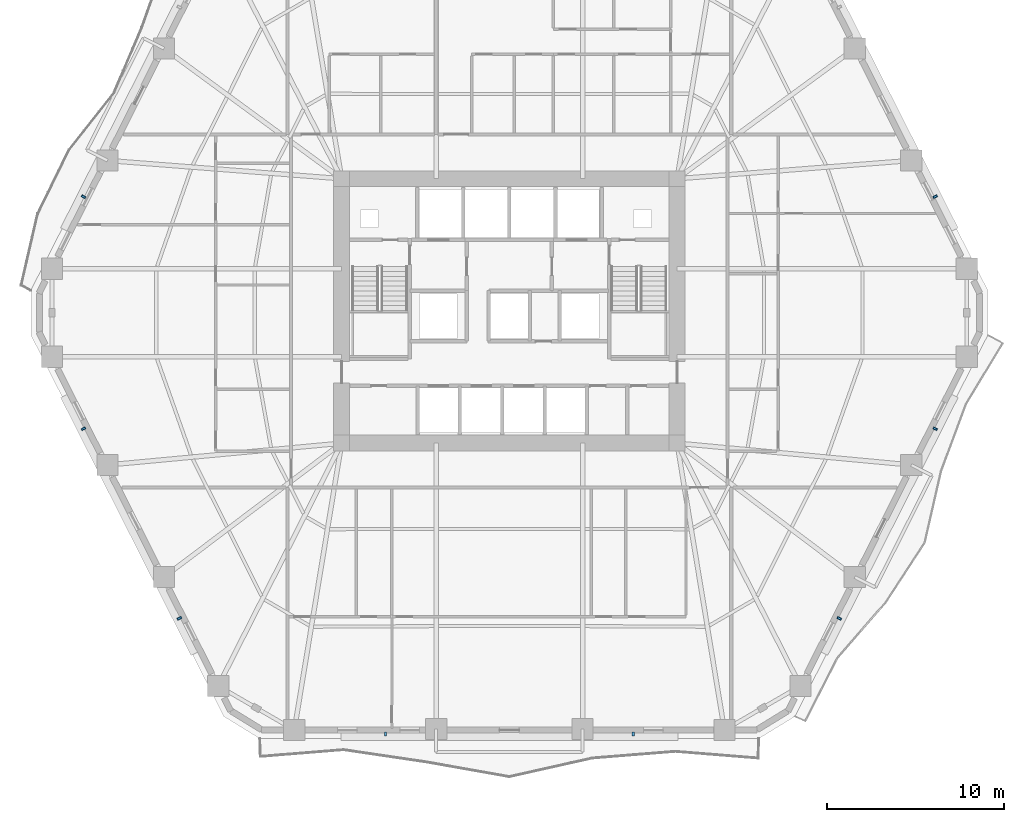
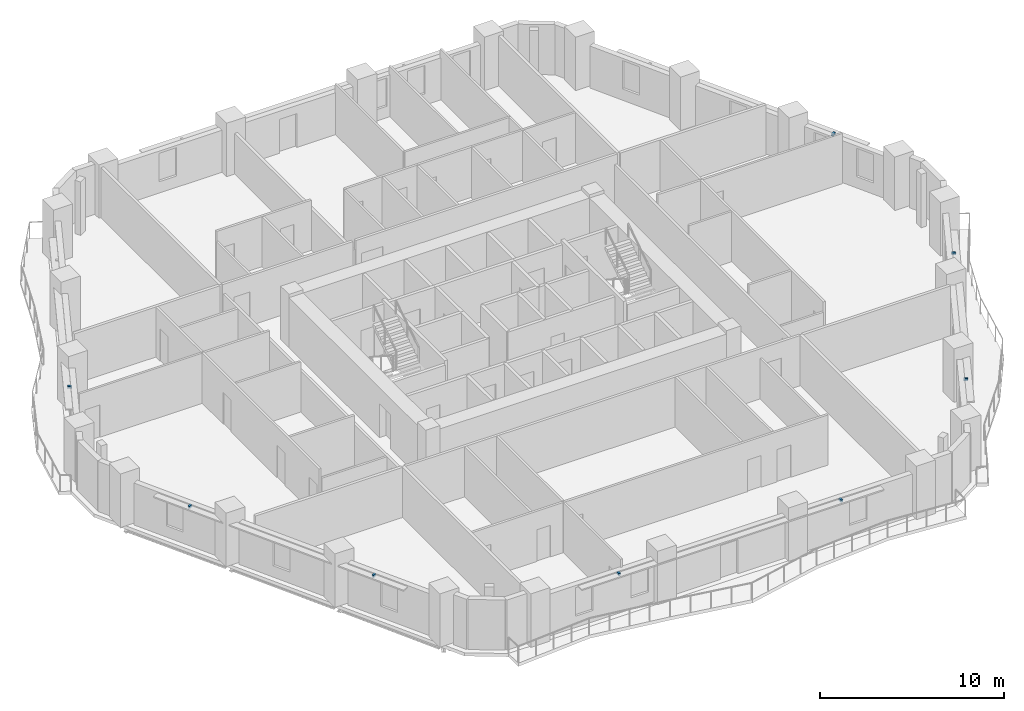
# One storey, part 8 of 13: 8 discrete accessories.
"""IFC4 building model written with IfcOpenShell, lengths in metres."""

import ifcopenshell
import ifcopenshell.guid

model = None  # the IFC model being written
_history = None  # IfcOwnerHistory: only IFC2X3 demands one
_inside = {}  # id of a spatial element -> (the spatial element, [elements in it])
_under = {}  # id of a project, library or spatial element -> (it, [spatial elements below it])
_declared = {}  # id of a project -> (the project, [libraries it declares])
_typed = {}  # id of a type object -> (the type object, [elements of that type])
_made_of = {}  # id of a material, layer set ... -> (it, [elements and type objects made of it])


def new_model(schema):
    """Start an empty IFC model of exactly this schema.

    Asked for "IFC4X3", IfcOpenShell would pick the latest addendum, in which some entities
    have other attributes; the version numbers below select the first issue.
    IFC2X3 requires an IfcOwnerHistory on every rooted entity: one is made here for all.
    """
    global model, _history
    if schema == "IFC4X3":
        model = ifcopenshell.file(schema_version=(4, 3, 0, 0))
    else:
        model = ifcopenshell.file(schema=schema)
    _inside.clear()
    _under.clear()
    _declared.clear()
    _typed.clear()
    _made_of.clear()
    _history = None
    if model.schema == "IFC2X3":
        org = make("IfcOrganization", Name="unknown")
        user = make(
            "IfcPersonAndOrganization",
            ThePerson=make("IfcPerson", FamilyName="unknown"),
            TheOrganization=org,
        )
        app = make(
            "IfcApplication",
            ApplicationDeveloper=org,
            Version="unknown",
            ApplicationFullName="unknown",
            ApplicationIdentifier="unknown",
        )
        _history = make(
            "IfcOwnerHistory",
            OwningUser=user,
            OwningApplication=app,
            ChangeAction="ADDED",
            CreationDate=0,
        )
    return model


def make(cls, **values):
    """One entity of the class cls with the attributes given. An attribute that is None is left unset."""
    return model.create_entity(
        cls, **{name: value for name, value in values.items() if value is not None}
    )


def rooted(cls, **values):
    """An entity with a GlobalId (a new one), such as an element, a storey or a relation."""
    return make(cls, GlobalId=ifcopenshell.guid.new(), OwnerHistory=_history, **values)


def si_unit(unit_type, name, prefix=None):
    """IfcSIUnit, for example si_unit("LENGTHUNIT", "METRE", prefix="MILLI")."""
    return make("IfcSIUnit", UnitType=unit_type, Prefix=prefix, Name=name)


def assignment(units):
    """IfcUnitAssignment: the units of a project."""
    return None if units is None else make("IfcUnitAssignment", Units=units)


def point(xyz):
    """IfcCartesianPoint."""
    return None if xyz is None else make("IfcCartesianPoint", Coordinates=xyz)


def direction(xyz):
    """IfcDirection."""
    return None if xyz is None else make("IfcDirection", DirectionRatios=xyz)


def frame(location, z_axis=None, x_axis=None):
    """IfcAxis2Placement3D, a coordinate frame: its origin and axes. An axis left out is left unset."""
    return make(
        "IfcAxis2Placement3D",
        Location=point(location),
        Axis=direction(z_axis),
        RefDirection=direction(x_axis),
    )


def frame_2d(location, x_axis=None):
    """IfcAxis2Placement2D, a coordinate frame in the plane: its origin and x axis."""
    return make(
        "IfcAxis2Placement2D", Location=point(location), RefDirection=direction(x_axis)
    )


def origin():
    """The frame at (0, 0, 0) with its axes left unset."""
    return frame((0.0, 0.0, 0.0))


def origin_2d():
    """The frame at (0, 0) in the plane with its x axis left unset."""
    return frame_2d((0.0, 0.0))


def place(relative_to, where):
    """IfcLocalPlacement: puts the frame where relative to a parent placement (None: the world)."""
    return make(
        "IfcLocalPlacement", PlacementRelTo=relative_to, RelativePlacement=where
    )


def context(
    kind, dimensions, precision=None, world=None, true_north=None, identifier=None
):
    """IfcGeometricRepresentationContext, for example the 3D "Model" context."""
    return make(
        "IfcGeometricRepresentationContext",
        ContextIdentifier=identifier,
        ContextType=kind,
        CoordinateSpaceDimension=dimensions,
        Precision=precision,
        WorldCoordinateSystem=world,
        TrueNorth=true_north,
    )


def subcontext(parent, identifier, kind, view, scale=None):
    """IfcGeometricRepresentationSubContext, for example "Body" below "Model"."""
    return make(
        "IfcGeometricRepresentationSubContext",
        ContextIdentifier=identifier,
        ContextType=kind,
        ParentContext=parent,
        TargetScale=scale,
        TargetView=view,
    )


def project(units=None, contexts=None):
    """IfcProject with its units and contexts."""
    return rooted(
        "IfcProject",
        Name="project",
        RepresentationContexts=contexts,
        UnitsInContext=assignment(units),
    )


def spatial(cls, under=None, at=None, **own):
    """A site, building, storey or space (cls), placed at a placement, below another one or the project."""
    s = rooted(cls, ObjectPlacement=at, **own)
    if under is not None:
        _under.setdefault(under.id(), (under, []))[1].append(s)
    return s


def profile(cls, at=None, kind="AREA", **sizes):
    """A parametric profile (cls). Its sizes go by their IFC names, for example OverallWidth=200.0."""
    return make(cls, ProfileType=kind, Position=at, **sizes)


def rectangle(**sizes):
    """IfcRectangleProfileDef."""
    return profile("IfcRectangleProfileDef", **sizes)


def extrude(swept, where, along, depth):
    """IfcExtrudedAreaSolid: the profile swept, set in the frame where, extruded along a direction by depth."""
    return make(
        "IfcExtrudedAreaSolid",
        SweptArea=swept,
        Position=where,
        ExtrudedDirection=direction(along),
        Depth=depth,
    )


def shape(context_of_items, identifier, shape_type, items):
    """IfcShapeRepresentation: the items that make up one representation, for example the "Body"."""
    return make(
        "IfcShapeRepresentation",
        ContextOfItems=context_of_items,
        RepresentationIdentifier=identifier,
        RepresentationType=shape_type,
        Items=items,
    )


def material(Name=None, Category=None):
    """IfcMaterial."""
    return make("IfcMaterial", Name=Name, Category=Category)


def made_of(thing, what):
    """Note that an element or type object is made of a material, layer set ...; save() writes the relation."""
    if what is not None:
        _made_of.setdefault(what.id(), (what, []))[1].append(thing)
    return thing


def type_object(cls, material=None, **own):
    """A type object (cls), such as IfcWallType, which elements share."""
    return made_of(rooted(cls, **own), material)


def element(
    cls,
    number,
    at=None,
    inside=None,
    cuts=None,
    type_object=None,
    material=None,
    context=None,
    identifier="Body",
    shape_type=None,
    held_by="IfcProductDefinitionShape",
    body=None,
    shapes=None,
    **own,
):
    """One element of the class cls, such as IfcWall. Its Tag is "e" and its number.

    at: its placement. inside: the storey or other place that contains it. cuts: it is an
    opening in that element (IfcRelVoidsElement). A single representation is given by context,
    identifier, shape_type and body (its items); several are given by shapes. held_by: the class
    of the entity that holds the representations. save() writes the other relations.
    """
    e = rooted(cls, Tag="e%d" % number, ObjectPlacement=at, **own)
    if body is not None:
        shapes = [shape(context, identifier, shape_type, body)]
    if shapes is not None:
        e.Representation = make(held_by, Representations=shapes)
    if inside is not None:
        _inside.setdefault(inside.id(), (inside, []))[1].append(e)
    if cuts is not None:
        rooted(
            "IfcRelVoidsElement", RelatingBuildingElement=cuts, RelatedOpeningElement=e
        )
    if type_object is not None:
        _typed.setdefault(type_object.id(), (type_object, []))[1].append(e)
    return made_of(e, material)


def aggregate(whole, parts):
    """IfcRelAggregates: a whole, such as a stair, and the parts it consists of."""
    return rooted("IfcRelAggregates", RelatingObject=whole, RelatedObjects=parts)


def save(model, path):
    """Write the relations noted so far, then the file.

    IfcRelAggregates (storeys below a building ...), IfcRelContainedInSpatialStructure (elements
    in a storey), IfcRelDefinesByType, IfcRelAssociatesMaterial and IfcRelDeclares: one each for
    every whole, place, type object, material and project.
    """
    for whole, parts in _under.values():
        aggregate(whole, parts)
    for where, things in _inside.values():
        rooted(
            "IfcRelContainedInSpatialStructure",
            RelatedElements=things,
            RelatingStructure=where,
        )
    for kind, things in _typed.values():
        rooted("IfcRelDefinesByType", RelatedObjects=things, RelatingType=kind)
    for what, things in _made_of.values():
        rooted("IfcRelAssociatesMaterial", RelatedObjects=things, RelatingMaterial=what)
    for by, libraries in _declared.values():
        rooted("IfcRelDeclares", RelatingContext=by, RelatedDefinitions=libraries)
    model.write(path)


model = new_model("IFC4")

# Units and contexts
model_context = context("Model", 3, precision=1e-05, world=origin(), true_north=direction((0.0, 1.0)))
body_context = subcontext(model_context, "Body", "Model", "MODEL_VIEW")
ifc_project = project(units=[si_unit("LENGTHUNIT", "METRE"), si_unit("AREAUNIT", "SQUARE_METRE"), si_unit("VOLUMEUNIT", "CUBIC_METRE"), si_unit("PLANEANGLEUNIT", "RADIAN"), si_unit("MASSUNIT", "GRAM", prefix="KILO")], contexts=[model_context])

# Site, building, storey
site_placement = place(None, origin())
site = spatial("IfcSite", under=ifc_project, at=site_placement, CompositionType="ELEMENT")
building_placement = place(site_placement, origin())
building = spatial("IfcBuilding", under=site, at=building_placement, Name="Cinnabar Lancet Tower", CompositionType="ELEMENT")
storey_placement = place(building_placement, frame((0.0, 0.0, 49.75)))
storey = spatial("IfcBuildingStorey", under=building, at=storey_placement, Name="L12", CompositionType="ELEMENT", Elevation=49.75)

# Discrete accessories
ifc_material = material(Name="Stainless steel 316 facade fixing bracket", Category="steel")
discrete_accessory_type = type_object("IfcDiscreteAccessoryType", Name="ENV-ACC-BRK-180", PredefinedType="BRACKET", material=ifc_material)
for number, where, z_axis, x_axis, name in (
    (1, (25.4169921875, 2.06005859375, 2.60009765625), (0.0, 0.0, 1.0), (1.0, 0.0, 0.0), "L12 Face 1 Sunshade Bracket A"),
    (2, (39.383056640625, 2.06005859375, 2.60009765625), (0.0, 0.0, 1.0), (1.0, 0.0, 0.0), "L12 Face 1 Sunshade Bracket B"),
    (3, (50.993896484375, 8.5791015625, 2.60009765625), (0.0, 0.0, 1.0), (0.451500573218, 0.892270829056, 0.0), "L12 Face 2 Sunshade Bracket A"),
    (4, (56.39892578125, 19.260009765625, 2.60009765625), (0.0, 0.0, 1.0), (0.451500573218, 0.892270829056, 0.0), "L12 Face 2 Sunshade Bracket B"),
    (5, (56.39892578125, 32.340087890625, 2.60009765625), (0.0, 0.0, 1.0), (-0.451500573218, 0.892270829056, 0.0), "L12 Face 3 Sunshade Bracket A"),
    (6, (8.40087890625, 32.340087890625, 2.60009765625), (0.0, 0.0, 1.0), (-0.451500573218, -0.892270829056, 0.0), "L12 Face 5 Sunshade Bracket B"),
    (7, (8.40087890625, 19.260009765625, 2.60009765625), (0.0, 0.0, 1.0), (0.451500573218, -0.892270829056, 0.0), "L12 Face 6 Sunshade Bracket A"),
    (8, (13.805908203125, 8.5791015625, 2.60009765625), (0.0, 0.0, 1.0), (0.451500573218, -0.892270829056, 0.0), "L12 Face 6 Sunshade Bracket B"),
):
    element("IfcDiscreteAccessory", number, at=place(storey_placement, frame(where, z_axis=z_axis, x_axis=x_axis)), inside=storey, type_object=discrete_accessory_type, Name=name, PredefinedType="BRACKET", context=body_context, shape_type="SweptSolid", body=[
        extrude(rectangle(XDim=0.1201171875, YDim=0.239990234375, at=origin_2d()), origin(), (0.0, 0.0, 1.0), 0.159912109375),
    ])

save(model, "model.ifc")
